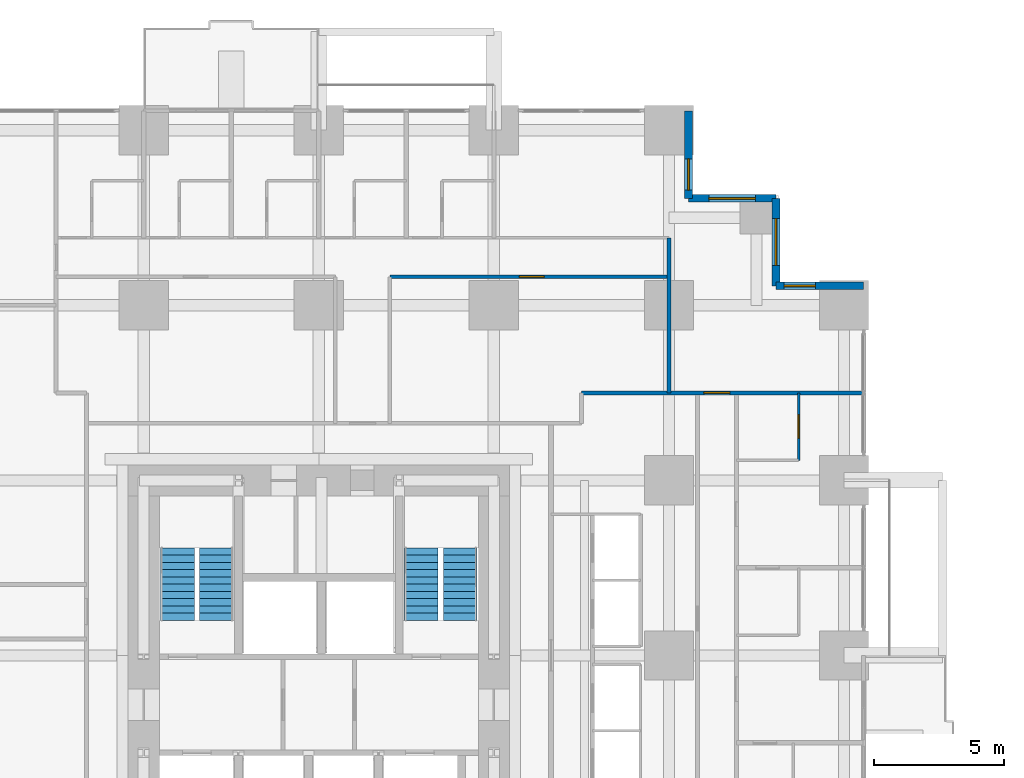
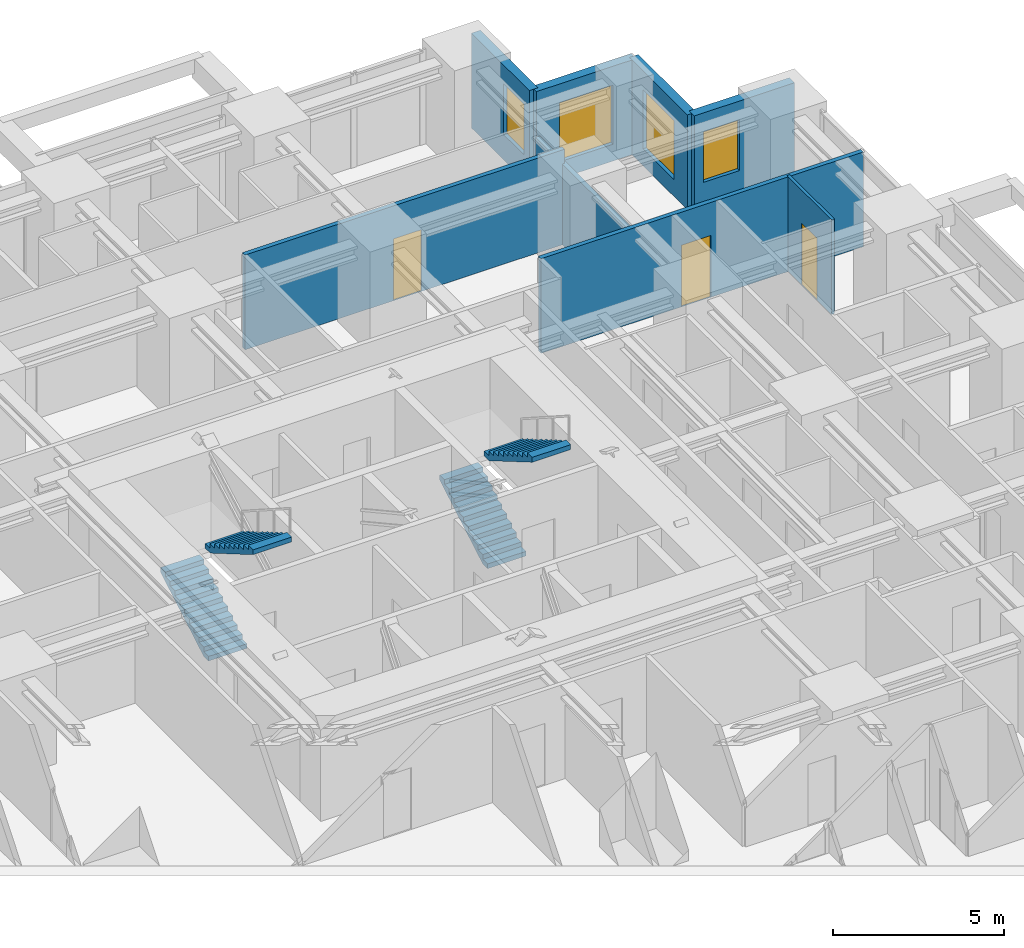
# One storey, part 13 of 14: 8 walls, 4 stair flights, 4 windows, 3 doors, 7 openings, 2 elements without a shape of their own.
"""IFC4 building model written with IfcOpenShell, lengths in metres."""

from ifc_helpers import new_model, si_unit, direction, frame, frame_2d, origin, place, context, subcontext, project, spatial, polyline, rectangle, outline, extrude, material, layer, layer_set, type_object, element, fill, aggregate, save


model = new_model("IFC4")

# Units and contexts
model_context = context("Model", 3, precision=1e-05, world=origin(), true_north=direction((0.0, 1.0)))
body_context = subcontext(model_context, "Body", "Model", "MODEL_VIEW")
ifc_project = project(units=[si_unit("LENGTHUNIT", "METRE"), si_unit("AREAUNIT", "SQUARE_METRE"), si_unit("VOLUMEUNIT", "CUBIC_METRE"), si_unit("PLANEANGLEUNIT", "RADIAN"), si_unit("MASSUNIT", "GRAM", prefix="KILO")], contexts=[model_context])

# Site, building, storey
site_placement = place(None, origin())
site = spatial("IfcSite", under=ifc_project, at=site_placement, CompositionType="ELEMENT")
building_placement = place(site_placement, origin())
building = spatial("IfcBuilding", under=site, at=building_placement, Name="Nyansa Garden Tower", CompositionType="ELEMENT")
storey_placement = place(building_placement, frame((0.0, 0.0, 18.0)))
storey = spatial("IfcBuildingStorey", under=building, at=storey_placement, Name="L04", CompositionType="ELEMENT", Elevation=18.0)

# Wall, opening, door
ifc_material_1 = material(Name="Blockwork, plastered both sides", Category="masonry")
ifc_layer_1 = layer(ifc_material_1, 0.14990234375)
ifc_layer_set_1 = layer_set([ifc_layer_1], Name="Partition PW150")
wall_type_1 = type_object("IfcWallType", Name="Partition PW150", PredefinedType="PARTITIONING", material=ifc_layer_set_1)
wall_1_placement = place(storey_placement, frame((22.987548828125, 34.85009765625, 0.0), z_axis=(0.0, 0.0, 1.0), x_axis=(1.0, 0.0, 0.0)))
wall_1 = element("IfcWall", 1, at=wall_1_placement, inside=storey, type_object=wall_type_1, Name="Partition", PredefinedType="PARTITIONING", context=body_context, shape_type="SweptSolid", body=[
    extrude(rectangle(XDim=10.762451171875, YDim=0.14990234375, at=frame_2d((5.38134765625, 0.0))), origin(), (0.0, 0.0, 1.0), 3.375),
])
opening_1_placement = place(wall_1_placement, frame((5.0, 0.0, 0.0)))
opening_1 = element("IfcOpeningElement", 2, at=opening_1_placement, cuts=wall_1, Name="Opening D01", PredefinedType="OPENING", context=body_context, shape_type="SweptSolid", body=[
    extrude(rectangle(XDim=0.949951171875, YDim=2.199951171875, at=frame_2d((0.47509765625, 1.10009765625))), frame((0.0, 0.0849609375, 0.0), z_axis=(0.0, -1.0, 0.0), x_axis=(1.0, 0.0, 0.0)), (0.0, 0.0, 1.0), 0.169921875),
])
ifc_material_2 = material(Name="Timber flush door, 30 minute fire resisting", Category="wood")
door_type_1 = type_object("IfcDoorType", Name="Bedroom door D01 950x2200", OperationType="SINGLE_SWING_LEFT", PredefinedType="DOOR", material=ifc_material_2)
door_1_placement = place(opening_1_placement, origin())
door_1 = element("IfcDoor", 3, at=door_1_placement, inside=storey, type_object=door_type_1, Name="Door L04-057", OperationType="SINGLE_SWING_LEFT", OverallHeight=2.199951171875, OverallWidth=0.949951171875, PredefinedType="DOOR", context=body_context, shape_type="SweptSolid", body=[
    extrude(rectangle(XDim=0.949951171875, YDim=2.199951171875, at=frame_2d((0.47509765625, 1.10009765625))), frame((0.0, 0.02490234375, 0.0), z_axis=(0.0, -1.0, 0.0), x_axis=(1.0, 0.0, 0.0)), (0.0, 0.0, 1.0), 0.050048828125),
])
fill(opening_1, door_1)

wall_2_placement = place(storey_placement, frame((30.375, 30.375, 0.0), z_axis=(0.0, 0.0, 1.0), x_axis=(1.0, 0.0, 0.0)))
wall_2 = element("IfcWall", 4, at=wall_2_placement, inside=storey, type_object=wall_type_1, Name="Partition", PredefinedType="PARTITIONING", context=body_context, shape_type="SweptSolid", body=[
    extrude(rectangle(XDim=10.85888671875, YDim=0.14990234375, at=frame_2d((5.429443359375, 0.0))), origin(), (0.0, 0.0, 1.0), 3.375),
])
opening_2_placement = place(wall_2_placement, frame((4.72509765625, 0.0, 0.0)))
opening_2 = element("IfcOpeningElement", 5, at=opening_2_placement, cuts=wall_2, Name="Opening D03", PredefinedType="OPENING", context=body_context, shape_type="SweptSolid", body=[
    extrude(rectangle(XDim=1.0, YDim=2.199951171875, at=frame_2d((0.5, 1.10009765625))), frame((0.0, 0.0849609375, 0.0), z_axis=(0.0, -1.0, 0.0), x_axis=(1.0, 0.0, 0.0)), (0.0, 0.0, 1.0), 0.169921875),
])
ifc_material_3 = material(Name="Timber flush door, 60 minute fire resisting", Category="wood")
door_type_2 = type_object("IfcDoorType", Name="Cluster entrance door D03 1000x2200", OperationType="SINGLE_SWING_LEFT", PredefinedType="DOOR", material=ifc_material_3)
door_2_placement = place(opening_2_placement, origin())
door_2 = element("IfcDoor", 6, at=door_2_placement, inside=storey, type_object=door_type_2, Name="Door L04-044", OperationType="SINGLE_SWING_LEFT", OverallHeight=2.199951171875, OverallWidth=1.0, PredefinedType="DOOR", context=body_context, shape_type="SweptSolid", body=[
    extrude(rectangle(XDim=1.0, YDim=2.199951171875, at=frame_2d((0.5, 1.10009765625))), frame((0.0, 0.02490234375, 0.0), z_axis=(0.0, -1.0, 0.0), x_axis=(1.0, 0.0, 0.0)), (0.0, 0.0, 1.0), 0.050048828125),
])
fill(opening_2, door_2)

# Wall
wall_3_placement = place(storey_placement, frame((33.75, 30.375, 0.0), z_axis=(0.0, 0.0, 1.0), x_axis=(0.0, 1.0, 0.0)))
element("IfcWall", 7, at=wall_3_placement, inside=storey, type_object=wall_type_1, Name="Partition", PredefinedType="PARTITIONING", context=body_context, shape_type="SweptSolid", body=[
    extrude(rectangle(XDim=5.97509765625, YDim=0.14990234375, at=frame_2d((2.987548828125, 0.0))), origin(), (0.0, 0.0, 1.0), 2.876953125),
])

# Wall, opening, window
ifc_material_4 = material(Name="Turquoise glazed tile on concrete blockwork", Category="masonry")
ifc_layer_2 = layer(ifc_material_4, 0.300048828125)
ifc_layer_set_2 = layer_set([ifc_layer_2], Name="Tiled corner wall TW300")
wall_type_2 = type_object("IfcWallType", Name="Tiled corner wall TW300", PredefinedType="SOLIDWALL", material=ifc_layer_set_2)
wall_4_placement = place(storey_placement, frame((41.25, 34.5, 0.0), z_axis=(0.0, 0.0, 1.0), x_axis=(-1.0, 0.0, 0.0)))
wall_4 = element("IfcWall", 8, at=wall_4_placement, inside=storey, type_object=wall_type_2, Name="Tiled corner wall L04", PredefinedType="SOLIDWALL", context=body_context, shape_type="SweptSolid", body=[
    extrude(rectangle(XDim=3.375, YDim=0.300048828125, at=frame_2d((1.6875, 0.0))), origin(), (0.0, 0.0, 1.0), 3.375),
])
opening_3_placement = place(wall_4_placement, frame((1.857421875, 0.0, 0.89990234375)))
opening_3 = element("IfcOpeningElement", 9, at=opening_3_placement, cuts=wall_4, Name="Opening W4", PredefinedType="OPENING", context=body_context, shape_type="SweptSolid", body=[
    extrude(rectangle(XDim=1.199951171875, YDim=1.800048828125, at=frame_2d((0.60009765625, 0.89990234375))), frame((0.0, 0.159912109375, 0.0), z_axis=(0.0, -1.0, 0.0), x_axis=(1.0, 0.0, 0.0)), (0.0, 0.0, 1.0), 0.320068359375),
])
ifc_material_5 = material(Name="Black aluminium frame, dark tinted double glazing", Category="aluminium")
window_type_1 = type_object("IfcWindowType", Name="Window W4 1200x1800", PartitioningType="SINGLE_PANEL", PredefinedType="WINDOW", material=ifc_material_5)
window_1_placement = place(opening_3_placement, origin())
window_1 = element("IfcWindow", 10, at=window_1_placement, inside=storey, type_object=window_type_1, Name="Corner window L04", OverallHeight=1.800048828125, OverallWidth=1.199951171875, PartitioningType="SINGLE_PANEL", PredefinedType="WINDOW", context=body_context, shape_type="SweptSolid", body=[
    extrude(rectangle(XDim=1.199951171875, YDim=1.800048828125, at=frame_2d((0.60009765625, 0.89990234375))), frame((0.0, 0.030029296875, 0.0), z_axis=(0.0, -1.0, 0.0), x_axis=(1.0, 0.0, 0.0)), (0.0, 0.0, 1.0), 0.06005859375),
])
fill(opening_3, window_1)

wall_5_placement = place(storey_placement, frame((37.875, 34.5, 0.0), z_axis=(0.0, 0.0, 1.0), x_axis=(0.0, 1.0, 0.0)))
wall_5 = element("IfcWall", 11, at=wall_5_placement, inside=storey, type_object=wall_type_2, Name="Tiled corner wall L04", PredefinedType="SOLIDWALL", context=body_context, shape_type="SweptSolid", body=[
    extrude(rectangle(XDim=3.375, YDim=0.300048828125, at=frame_2d((1.6875, 0.0))), origin(), (0.0, 0.0, 1.0), 3.375),
])
opening_4_placement = place(wall_5_placement, frame((0.78759765625, 0.0, 0.60009765625)))
opening_4 = element("IfcOpeningElement", 12, at=opening_4_placement, cuts=wall_5, Name="Opening W2", PredefinedType="OPENING", context=body_context, shape_type="SweptSolid", body=[
    extrude(rectangle(XDim=1.800048828125, YDim=2.10009765625, at=frame_2d((0.89990234375, 1.050048828125))), frame((0.0, 0.159912109375, 0.0), z_axis=(0.0, -1.0, 0.0), x_axis=(1.0, 0.0, 0.0)), (0.0, 0.0, 1.0), 0.320068359375),
])
ifc_material_6 = material(Name="Black aluminium frame, dark tinted double glazing", Category="aluminium")
window_type_2 = type_object("IfcWindowType", Name="Window W2 1800x2100", PartitioningType="SINGLE_PANEL", PredefinedType="WINDOW", material=ifc_material_6)
window_2_placement = place(opening_4_placement, origin())
window_2 = element("IfcWindow", 13, at=window_2_placement, inside=storey, type_object=window_type_2, Name="Corner window L04", OverallHeight=2.10009765625, OverallWidth=1.800048828125, PartitioningType="SINGLE_PANEL", PredefinedType="WINDOW", context=body_context, shape_type="SweptSolid", body=[
    extrude(rectangle(XDim=1.800048828125, YDim=2.10009765625, at=frame_2d((0.89990234375, 1.050048828125))), frame((0.0, 0.030029296875, 0.0), z_axis=(0.0, -1.0, 0.0), x_axis=(1.0, 0.0, 0.0)), (0.0, 0.0, 1.0), 0.06005859375),
])
fill(opening_4, window_2)

wall_6_placement = place(storey_placement, frame((37.875, 37.875, 0.0), z_axis=(0.0, 0.0, 1.0), x_axis=(-1.0, 0.0, 0.0)))
wall_6 = element("IfcWall", 14, at=wall_6_placement, inside=storey, type_object=wall_type_2, Name="Tiled corner wall L04", PredefinedType="SOLIDWALL", context=body_context, shape_type="SweptSolid", body=[
    extrude(rectangle(XDim=3.375, YDim=0.300048828125, at=frame_2d((1.6875, 0.0))), origin(), (0.0, 0.0, 1.0), 3.375),
])
opening_5_placement = place(wall_6_placement, frame((0.78759765625, 0.0, 0.60009765625)))
opening_5 = element("IfcOpeningElement", 15, at=opening_5_placement, cuts=wall_6, Name="Opening W2", PredefinedType="OPENING", context=body_context, shape_type="SweptSolid", body=[
    extrude(rectangle(XDim=1.800048828125, YDim=2.10009765625, at=frame_2d((0.89990234375, 1.050048828125))), frame((0.0, 0.159912109375, 0.0), z_axis=(0.0, -1.0, 0.0), x_axis=(1.0, 0.0, 0.0)), (0.0, 0.0, 1.0), 0.320068359375),
])
window_3_placement = place(opening_5_placement, origin())
window_3 = element("IfcWindow", 16, at=window_3_placement, inside=storey, type_object=window_type_2, Name="Corner window L04", OverallHeight=2.10009765625, OverallWidth=1.800048828125, PartitioningType="SINGLE_PANEL", PredefinedType="WINDOW", context=body_context, shape_type="SweptSolid", body=[
    extrude(rectangle(XDim=1.800048828125, YDim=2.10009765625, at=frame_2d((0.89990234375, 1.050048828125))), frame((0.0, 0.030029296875, 0.0), z_axis=(0.0, -1.0, 0.0), x_axis=(1.0, 0.0, 0.0)), (0.0, 0.0, 1.0), 0.06005859375),
])
fill(opening_5, window_3)

wall_7_placement = place(storey_placement, frame((34.5, 37.875, 0.0), z_axis=(0.0, 0.0, 1.0), x_axis=(0.0, 1.0, 0.0)))
wall_7 = element("IfcWall", 17, at=wall_7_placement, inside=storey, type_object=wall_type_2, Name="Tiled corner wall L04", PredefinedType="SOLIDWALL", context=body_context, shape_type="SweptSolid", body=[
    extrude(rectangle(XDim=3.375, YDim=0.300048828125, at=frame_2d((1.6875, 0.0))), origin(), (0.0, 0.0, 1.0), 3.375),
])
opening_6_placement = place(wall_7_placement, frame((0.3173828125, 0.0, 0.89990234375)))
opening_6 = element("IfcOpeningElement", 18, at=opening_6_placement, cuts=wall_7, Name="Opening W4", PredefinedType="OPENING", context=body_context, shape_type="SweptSolid", body=[
    extrude(rectangle(XDim=1.199951171875, YDim=1.800048828125, at=frame_2d((0.60009765625, 0.89990234375))), frame((0.0, 0.159912109375, 0.0), z_axis=(0.0, -1.0, 0.0), x_axis=(1.0, 0.0, 0.0)), (0.0, 0.0, 1.0), 0.320068359375),
])
window_4_placement = place(opening_6_placement, origin())
window_4 = element("IfcWindow", 19, at=window_4_placement, inside=storey, type_object=window_type_1, Name="Corner window L04", OverallHeight=1.800048828125, OverallWidth=1.199951171875, PartitioningType="SINGLE_PANEL", PredefinedType="WINDOW", context=body_context, shape_type="SweptSolid", body=[
    extrude(rectangle(XDim=1.199951171875, YDim=1.800048828125, at=frame_2d((0.60009765625, 0.89990234375))), frame((0.0, 0.030029296875, 0.0), z_axis=(0.0, -1.0, 0.0), x_axis=(1.0, 0.0, 0.0)), (0.0, 0.0, 1.0), 0.06005859375),
])
fill(opening_6, window_4)

# Wall, opening, door
ifc_material_7 = material(Name="Moisture resistant board on steel studs, tiled", Category="steel")
ifc_layer_3 = layer(ifc_material_7, 0.10009765625)
ifc_layer_set_3 = layer_set([ifc_layer_3], Name="Wet wall PW100")
wall_type_3 = type_object("IfcWallType", Name="Wet wall PW100", PredefinedType="PARTITIONING", material=ifc_layer_set_3)
wall_8_placement = place(storey_placement, frame((38.75, 27.77490234375, 0.0), z_axis=(0.0, 0.0, 1.0), x_axis=(0.0, 1.0, 0.0)))
wall_8 = element("IfcWall", 20, at=wall_8_placement, inside=storey, type_object=wall_type_3, Name="Wet wall", PredefinedType="PARTITIONING", context=body_context, shape_type="SweptSolid", body=[
    extrude(rectangle(XDim=2.60009765625, YDim=0.10009765625, at=frame_2d((1.300048828125, 0.0))), origin(), (0.0, 0.0, 1.0), 3.375),
])
opening_7_placement = place(wall_8_placement, frame((0.85009765625, 0.0, 0.0)))
opening_7 = element("IfcOpeningElement", 21, at=opening_7_placement, cuts=wall_8, Name="Opening D02", PredefinedType="OPENING", context=body_context, shape_type="SweptSolid", body=[
    extrude(rectangle(XDim=0.89990234375, YDim=2.199951171875, at=frame_2d((0.449951171875, 1.10009765625))), frame((0.0, 0.06005859375, 0.0), z_axis=(0.0, -1.0, 0.0), x_axis=(1.0, 0.0, 0.0)), (0.0, 0.0, 1.0), 0.1201171875),
])
ifc_material_8 = material(Name="Timber flush door", Category="wood")
door_type_3 = type_object("IfcDoorType", Name="En-suite door D02 900x2200", OperationType="SINGLE_SWING_RIGHT", PredefinedType="DOOR", material=ifc_material_8)
door_3_placement = place(opening_7_placement, origin())
door_3 = element("IfcDoor", 22, at=door_3_placement, inside=storey, type_object=door_type_3, Name="Door L04-036", OperationType="SINGLE_SWING_RIGHT", OverallHeight=2.199951171875, OverallWidth=0.89990234375, PredefinedType="DOOR", context=body_context, shape_type="SweptSolid", body=[
    extrude(rectangle(XDim=0.89990234375, YDim=2.199951171875, at=frame_2d((0.449951171875, 1.10009765625))), frame((0.0, 0.02490234375, 0.0), z_axis=(0.0, -1.0, 0.0), x_axis=(1.0, 0.0, 0.0)), (0.0, 0.0, 1.0), 0.050048828125),
])
fill(opening_7, door_3)

# Stair, stair flights
ifc_material_9 = material(Name="Precast concrete C40/50", Category="concrete")
stair_type_1 = type_object("IfcStairType", Name="Stair S1 164x280", PredefinedType="HALF_TURN_STAIR", material=ifc_material_9)
stair_1_placement = place(storey_placement, origin())
stair_1 = element("IfcStair", 23, at=stair_1_placement, inside=storey, type_object=stair_type_1, Name="Stair S1 L04", PredefinedType="HALF_TURN_STAIR")
ifc_material_10 = material(Name="Precast concrete C40/50", Category="concrete")
stair_flight_type_1 = type_object("IfcStairFlightType", Name="Stair flight S1 164x280x11", PredefinedType="STRAIGHT", material=ifc_material_10)
stair_flight_1_placement = place(storey_placement, frame((14.800048828125, 21.60009765625, 0.0), z_axis=(0.0, 0.0, 1.0), x_axis=(0.0, 1.0, 0.0)))
stair_flight_1 = element("IfcStairFlight", 24, at=stair_flight_1_placement, type_object=stair_flight_type_1, Name="S1 flight 1", NumberOfRisers=11, NumberOfTreads=10, PredefinedType="STRAIGHT", RiserHeight=0.163636364, TreadLength=0.28, context=body_context, shape_type="SweptSolid", body=[
    extrude(outline(polyline([(0.0, 0.0), (0.0, 0.16357421875), (0.280029296875, 0.16357421875), (0.280029296875, 0.327392578125), (0.56005859375, 0.327392578125), (0.56005859375, 0.490966796875), (0.840087890625, 0.490966796875), (0.840087890625, 0.654541015625), (1.1201171875, 0.654541015625), (1.1201171875, 0.818115234375), (1.39990234375, 0.818115234375), (1.39990234375, 0.98193359375), (1.679931640625, 0.98193359375), (1.679931640625, 1.1455078125), (1.9599609375, 1.1455078125), (1.9599609375, 1.30908203125), (2.239990234375, 1.30908203125), (2.239990234375, 1.47265625), (2.52001953125, 1.47265625), (2.52001953125, 1.636474609375), (2.800048828125, 1.636474609375), (2.800048828125, 1.800048828125), (2.800048828125, 1.462646484375), (0.297119140625, 0.0), (0.0, 0.0)])), frame((0.0, 0.64990234375, 0.0), z_axis=(0.0, -1.0, 0.0), x_axis=(1.0, 0.0, 0.0)), (0.0, 0.0, 1.0), 1.300048828125),
])
stair_flight_2_placement = place(storey_placement, frame((16.300048828125, 24.39990234375, 1.800048828125), z_axis=(0.0, 0.0, 1.0), x_axis=(0.0, -1.0, 0.0)))
stair_flight_2 = element("IfcStairFlight", 25, at=stair_flight_2_placement, type_object=stair_flight_type_1, Name="S1 flight 2", NumberOfRisers=11, NumberOfTreads=10, PredefinedType="STRAIGHT", RiserHeight=0.163636364, TreadLength=0.28, context=body_context, shape_type="SweptSolid", body=[
    extrude(outline(polyline([(0.0, 0.0), (0.0, 0.16357421875), (0.280029296875, 0.16357421875), (0.280029296875, 0.327392578125), (0.56005859375, 0.327392578125), (0.56005859375, 0.490966796875), (0.840087890625, 0.490966796875), (0.840087890625, 0.654541015625), (1.1201171875, 0.654541015625), (1.1201171875, 0.818115234375), (1.39990234375, 0.818115234375), (1.39990234375, 0.98193359375), (1.679931640625, 0.98193359375), (1.679931640625, 1.1455078125), (1.9599609375, 1.1455078125), (1.9599609375, 1.30908203125), (2.239990234375, 1.30908203125), (2.239990234375, 1.47265625), (2.52001953125, 1.47265625), (2.52001953125, 1.636474609375), (2.800048828125, 1.636474609375), (2.800048828125, 1.800048828125), (2.800048828125, 1.462646484375), (0.297119140625, 0.0), (0.0, 0.0)])), frame((0.0, 0.64990234375, 0.0), z_axis=(0.0, -1.0, 0.0), x_axis=(1.0, 0.0, 0.0)), (0.0, 0.0, 1.0), 1.300048828125),
])
aggregate(stair_1, [stair_flight_1, stair_flight_2])

ifc_material_11 = material(Name="Precast concrete C40/50", Category="concrete")
stair_type_2 = type_object("IfcStairType", Name="Stair S2 164x280", PredefinedType="HALF_TURN_STAIR", material=ifc_material_11)
stair_2_placement = place(storey_placement, origin())
stair_2 = element("IfcStair", 26, at=stair_2_placement, inside=storey, type_object=stair_type_2, Name="Stair S2 L04", PredefinedType="HALF_TURN_STAIR")
ifc_material_12 = material(Name="Precast concrete C40/50", Category="concrete")
stair_flight_type_2 = type_object("IfcStairFlightType", Name="Stair flight S2 164x280x11", PredefinedType="STRAIGHT", material=ifc_material_12)
stair_flight_3_placement = place(storey_placement, frame((24.199951171875, 21.60009765625, 0.0), z_axis=(0.0, 0.0, 1.0), x_axis=(0.0, 1.0, 0.0)))
stair_flight_3 = element("IfcStairFlight", 27, at=stair_flight_3_placement, type_object=stair_flight_type_2, Name="S2 flight 1", NumberOfRisers=11, NumberOfTreads=10, PredefinedType="STRAIGHT", RiserHeight=0.163636364, TreadLength=0.28, context=body_context, shape_type="SweptSolid", body=[
    extrude(outline(polyline([(0.0, 0.0), (0.0, 0.16357421875), (0.280029296875, 0.16357421875), (0.280029296875, 0.327392578125), (0.56005859375, 0.327392578125), (0.56005859375, 0.490966796875), (0.840087890625, 0.490966796875), (0.840087890625, 0.654541015625), (1.1201171875, 0.654541015625), (1.1201171875, 0.818115234375), (1.39990234375, 0.818115234375), (1.39990234375, 0.98193359375), (1.679931640625, 0.98193359375), (1.679931640625, 1.1455078125), (1.9599609375, 1.1455078125), (1.9599609375, 1.30908203125), (2.239990234375, 1.30908203125), (2.239990234375, 1.47265625), (2.52001953125, 1.47265625), (2.52001953125, 1.636474609375), (2.800048828125, 1.636474609375), (2.800048828125, 1.800048828125), (2.800048828125, 1.462646484375), (0.297119140625, 0.0), (0.0, 0.0)])), frame((0.0, 0.64990234375, 0.0), z_axis=(0.0, -1.0, 0.0), x_axis=(1.0, 0.0, 0.0)), (0.0, 0.0, 1.0), 1.300048828125),
])
stair_flight_4_placement = place(storey_placement, frame((25.699951171875, 24.39990234375, 1.800048828125), z_axis=(0.0, 0.0, 1.0), x_axis=(0.0, -1.0, 0.0)))
stair_flight_4 = element("IfcStairFlight", 28, at=stair_flight_4_placement, type_object=stair_flight_type_2, Name="S2 flight 2", NumberOfRisers=11, NumberOfTreads=10, PredefinedType="STRAIGHT", RiserHeight=0.163636364, TreadLength=0.28, context=body_context, shape_type="SweptSolid", body=[
    extrude(outline(polyline([(0.0, 0.0), (0.0, 0.16357421875), (0.280029296875, 0.16357421875), (0.280029296875, 0.327392578125), (0.56005859375, 0.327392578125), (0.56005859375, 0.490966796875), (0.840087890625, 0.490966796875), (0.840087890625, 0.654541015625), (1.1201171875, 0.654541015625), (1.1201171875, 0.818115234375), (1.39990234375, 0.818115234375), (1.39990234375, 0.98193359375), (1.679931640625, 0.98193359375), (1.679931640625, 1.1455078125), (1.9599609375, 1.1455078125), (1.9599609375, 1.30908203125), (2.239990234375, 1.30908203125), (2.239990234375, 1.47265625), (2.52001953125, 1.47265625), (2.52001953125, 1.636474609375), (2.800048828125, 1.636474609375), (2.800048828125, 1.800048828125), (2.800048828125, 1.462646484375), (0.297119140625, 0.0), (0.0, 0.0)])), frame((0.0, 0.64990234375, 0.0), z_axis=(0.0, -1.0, 0.0), x_axis=(1.0, 0.0, 0.0)), (0.0, 0.0, 1.0), 1.300048828125),
])
aggregate(stair_2, [stair_flight_3, stair_flight_4])

save(model, "model.ifc")
